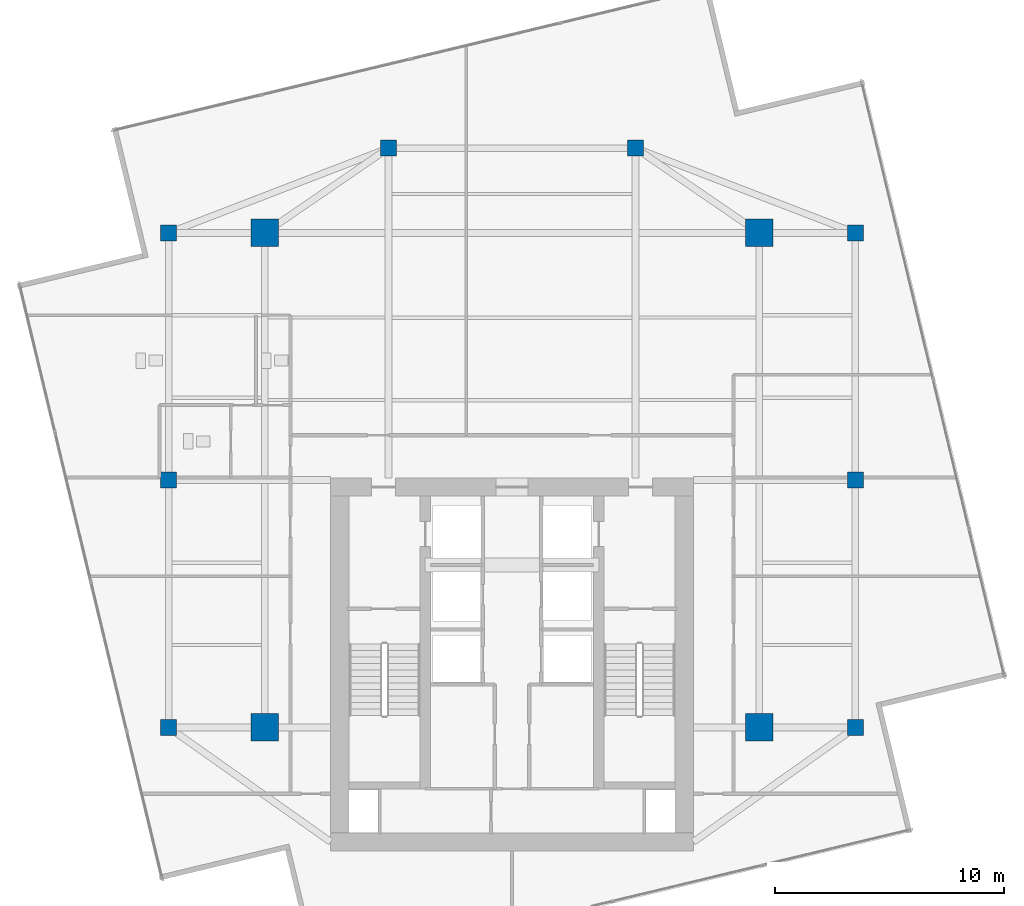
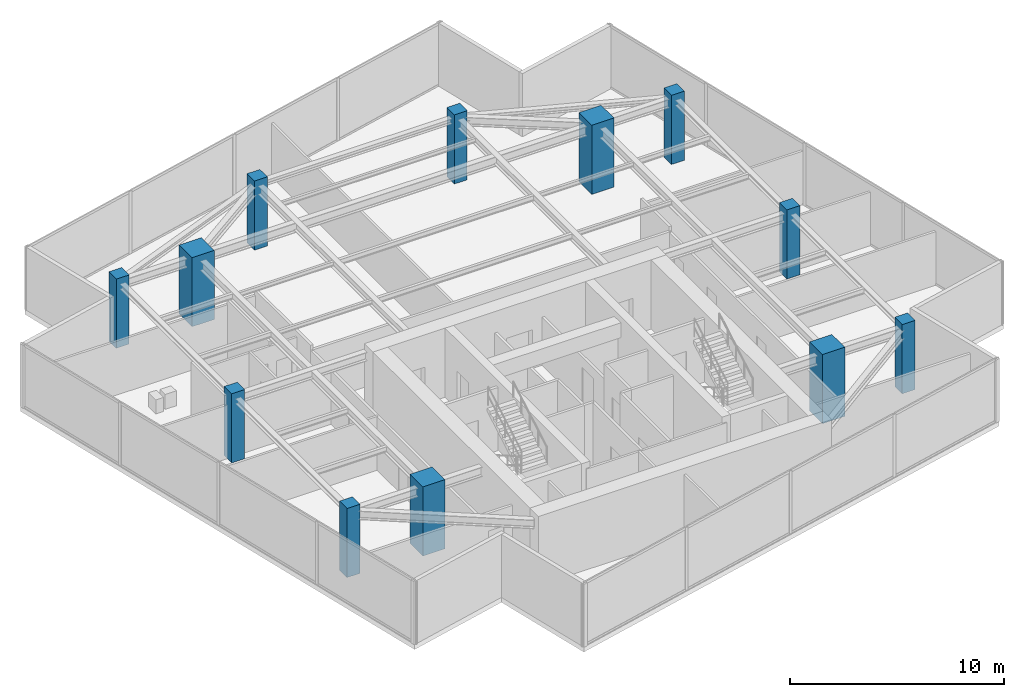
# One storey, part 1 of 22: 12 columns.
"""IFC4 building model written with IfcOpenShell, lengths in metres."""

import ifcopenshell
import ifcopenshell.guid

model = None  # the IFC model being written
_history = None  # IfcOwnerHistory: only IFC2X3 demands one
_inside = {}  # id of a spatial element -> (the spatial element, [elements in it])
_under = {}  # id of a project, library or spatial element -> (it, [spatial elements below it])
_declared = {}  # id of a project -> (the project, [libraries it declares])
_typed = {}  # id of a type object -> (the type object, [elements of that type])
_made_of = {}  # id of a material, layer set ... -> (it, [elements and type objects made of it])


def new_model(schema):
    """Start an empty IFC model of exactly this schema.

    Asked for "IFC4X3", IfcOpenShell would pick the latest addendum, in which some entities
    have other attributes; the version numbers below select the first issue.
    IFC2X3 requires an IfcOwnerHistory on every rooted entity: one is made here for all.
    """
    global model, _history
    if schema == "IFC4X3":
        model = ifcopenshell.file(schema_version=(4, 3, 0, 0))
    else:
        model = ifcopenshell.file(schema=schema)
    _inside.clear()
    _under.clear()
    _declared.clear()
    _typed.clear()
    _made_of.clear()
    _history = None
    if model.schema == "IFC2X3":
        org = make("IfcOrganization", Name="unknown")
        user = make(
            "IfcPersonAndOrganization",
            ThePerson=make("IfcPerson", FamilyName="unknown"),
            TheOrganization=org,
        )
        app = make(
            "IfcApplication",
            ApplicationDeveloper=org,
            Version="unknown",
            ApplicationFullName="unknown",
            ApplicationIdentifier="unknown",
        )
        _history = make(
            "IfcOwnerHistory",
            OwningUser=user,
            OwningApplication=app,
            ChangeAction="ADDED",
            CreationDate=0,
        )
    return model


def make(cls, **values):
    """One entity of the class cls with the attributes given. An attribute that is None is left unset."""
    return model.create_entity(
        cls, **{name: value for name, value in values.items() if value is not None}
    )


def rooted(cls, **values):
    """An entity with a GlobalId (a new one), such as an element, a storey or a relation."""
    return make(cls, GlobalId=ifcopenshell.guid.new(), OwnerHistory=_history, **values)


def si_unit(unit_type, name, prefix=None):
    """IfcSIUnit, for example si_unit("LENGTHUNIT", "METRE", prefix="MILLI")."""
    return make("IfcSIUnit", UnitType=unit_type, Prefix=prefix, Name=name)


def assignment(units):
    """IfcUnitAssignment: the units of a project."""
    return None if units is None else make("IfcUnitAssignment", Units=units)


def point(xyz):
    """IfcCartesianPoint."""
    return None if xyz is None else make("IfcCartesianPoint", Coordinates=xyz)


def direction(xyz):
    """IfcDirection."""
    return None if xyz is None else make("IfcDirection", DirectionRatios=xyz)


def frame(location, z_axis=None, x_axis=None):
    """IfcAxis2Placement3D, a coordinate frame: its origin and axes. An axis left out is left unset."""
    return make(
        "IfcAxis2Placement3D",
        Location=point(location),
        Axis=direction(z_axis),
        RefDirection=direction(x_axis),
    )


def frame_2d(location, x_axis=None):
    """IfcAxis2Placement2D, a coordinate frame in the plane: its origin and x axis."""
    return make(
        "IfcAxis2Placement2D", Location=point(location), RefDirection=direction(x_axis)
    )


def origin():
    """The frame at (0, 0, 0) with its axes left unset."""
    return frame((0.0, 0.0, 0.0))


def origin_2d():
    """The frame at (0, 0) in the plane with its x axis left unset."""
    return frame_2d((0.0, 0.0))


def place(relative_to, where):
    """IfcLocalPlacement: puts the frame where relative to a parent placement (None: the world)."""
    return make(
        "IfcLocalPlacement", PlacementRelTo=relative_to, RelativePlacement=where
    )


def context(
    kind, dimensions, precision=None, world=None, true_north=None, identifier=None
):
    """IfcGeometricRepresentationContext, for example the 3D "Model" context."""
    return make(
        "IfcGeometricRepresentationContext",
        ContextIdentifier=identifier,
        ContextType=kind,
        CoordinateSpaceDimension=dimensions,
        Precision=precision,
        WorldCoordinateSystem=world,
        TrueNorth=true_north,
    )


def subcontext(parent, identifier, kind, view, scale=None):
    """IfcGeometricRepresentationSubContext, for example "Body" below "Model"."""
    return make(
        "IfcGeometricRepresentationSubContext",
        ContextIdentifier=identifier,
        ContextType=kind,
        ParentContext=parent,
        TargetScale=scale,
        TargetView=view,
    )


def project(units=None, contexts=None):
    """IfcProject with its units and contexts."""
    return rooted(
        "IfcProject",
        Name="project",
        RepresentationContexts=contexts,
        UnitsInContext=assignment(units),
    )


def spatial(cls, under=None, at=None, **own):
    """A site, building, storey or space (cls), placed at a placement, below another one or the project."""
    s = rooted(cls, ObjectPlacement=at, **own)
    if under is not None:
        _under.setdefault(under.id(), (under, []))[1].append(s)
    return s


def profile(cls, at=None, kind="AREA", **sizes):
    """A parametric profile (cls). Its sizes go by their IFC names, for example OverallWidth=200.0."""
    return make(cls, ProfileType=kind, Position=at, **sizes)


def rectangle(**sizes):
    """IfcRectangleProfileDef."""
    return profile("IfcRectangleProfileDef", **sizes)


def extrude(swept, where, along, depth):
    """IfcExtrudedAreaSolid: the profile swept, set in the frame where, extruded along a direction by depth."""
    return make(
        "IfcExtrudedAreaSolid",
        SweptArea=swept,
        Position=where,
        ExtrudedDirection=direction(along),
        Depth=depth,
    )


def shape(context_of_items, identifier, shape_type, items):
    """IfcShapeRepresentation: the items that make up one representation, for example the "Body"."""
    return make(
        "IfcShapeRepresentation",
        ContextOfItems=context_of_items,
        RepresentationIdentifier=identifier,
        RepresentationType=shape_type,
        Items=items,
    )


def source(mapping_origin, context_of_items, identifier, shape_type, items):
    """IfcRepresentationMap: a shape defined once, which mapped items show again and again."""
    return make(
        "IfcRepresentationMap",
        MappingOrigin=mapping_origin,
        MappedRepresentation=shape(context_of_items, identifier, shape_type, items),
    )


def transform(
    local_origin,
    x_axis=None,
    y_axis=None,
    z_axis=None,
    scale=None,
    scale2=None,
    scale3=None,
    uniform=True,
):
    """IfcCartesianTransformationOperator3D, or its non-uniform kind. x_axis, y_axis, z_axis: its Axis1, 2, 3."""
    if uniform:
        return make(
            "IfcCartesianTransformationOperator3D",
            Axis1=direction(x_axis),
            Axis2=direction(y_axis),
            LocalOrigin=point(local_origin),
            Scale=scale,
            Axis3=direction(z_axis),
        )
    return make(
        "IfcCartesianTransformationOperator3DnonUniform",
        Axis1=direction(x_axis),
        Axis2=direction(y_axis),
        LocalOrigin=point(local_origin),
        Scale=scale,
        Axis3=direction(z_axis),
        Scale2=scale2,
        Scale3=scale3,
    )


def mapped(mapping_source, mapping_target):
    """IfcMappedItem: shows the shape of a source again, moved by a transform."""
    return make(
        "IfcMappedItem", MappingSource=mapping_source, MappingTarget=mapping_target
    )


def material(Name=None, Category=None):
    """IfcMaterial."""
    return make("IfcMaterial", Name=Name, Category=Category)


def material_profile(
    of_material, cross_section, Name=None, Category=None, Priority=None
):
    """IfcMaterialProfile: a cross section and its material."""
    return make(
        "IfcMaterialProfile",
        Name=Name,
        Material=of_material,
        Profile=cross_section,
        Priority=Priority,
        Category=Category,
    )


def profile_set(profiles, Name=None, composite=None):
    """IfcMaterialProfileSet."""
    return make(
        "IfcMaterialProfileSet",
        Name=Name,
        MaterialProfiles=profiles,
        CompositeProfile=composite,
    )


def made_of(thing, what):
    """Note that an element or type object is made of a material, layer set ...; save() writes the relation."""
    if what is not None:
        _made_of.setdefault(what.id(), (what, []))[1].append(thing)
    return thing


def type_object(cls, material=None, **own):
    """A type object (cls), such as IfcWallType, which elements share."""
    return made_of(rooted(cls, **own), material)


def type_shapes(of_type, sources):
    """Give a type object the sources (RepresentationMaps) that its elements show as mapped items."""
    of_type.RepresentationMaps = sources


def element(
    cls,
    number,
    at=None,
    inside=None,
    cuts=None,
    type_object=None,
    material=None,
    context=None,
    identifier="Body",
    shape_type=None,
    held_by="IfcProductDefinitionShape",
    body=None,
    shapes=None,
    **own,
):
    """One element of the class cls, such as IfcWall. Its Tag is "e" and its number.

    at: its placement. inside: the storey or other place that contains it. cuts: it is an
    opening in that element (IfcRelVoidsElement). A single representation is given by context,
    identifier, shape_type and body (its items); several are given by shapes. held_by: the class
    of the entity that holds the representations. save() writes the other relations.
    """
    e = rooted(cls, Tag="e%d" % number, ObjectPlacement=at, **own)
    if body is not None:
        shapes = [shape(context, identifier, shape_type, body)]
    if shapes is not None:
        e.Representation = make(held_by, Representations=shapes)
    if inside is not None:
        _inside.setdefault(inside.id(), (inside, []))[1].append(e)
    if cuts is not None:
        rooted(
            "IfcRelVoidsElement", RelatingBuildingElement=cuts, RelatedOpeningElement=e
        )
    if type_object is not None:
        _typed.setdefault(type_object.id(), (type_object, []))[1].append(e)
    return made_of(e, material)


def aggregate(whole, parts):
    """IfcRelAggregates: a whole, such as a stair, and the parts it consists of."""
    return rooted("IfcRelAggregates", RelatingObject=whole, RelatedObjects=parts)


def save(model, path):
    """Write the relations noted so far, then the file.

    IfcRelAggregates (storeys below a building ...), IfcRelContainedInSpatialStructure (elements
    in a storey), IfcRelDefinesByType, IfcRelAssociatesMaterial and IfcRelDeclares: one each for
    every whole, place, type object, material and project.
    """
    for whole, parts in _under.values():
        aggregate(whole, parts)
    for where, things in _inside.values():
        rooted(
            "IfcRelContainedInSpatialStructure",
            RelatedElements=things,
            RelatingStructure=where,
        )
    for kind, things in _typed.values():
        rooted("IfcRelDefinesByType", RelatedObjects=things, RelatingType=kind)
    for what, things in _made_of.values():
        rooted("IfcRelAssociatesMaterial", RelatedObjects=things, RelatingMaterial=what)
    for by, libraries in _declared.values():
        rooted("IfcRelDeclares", RelatingContext=by, RelatedDefinitions=libraries)
    model.write(path)


model = new_model("IFC4")

# Units and contexts
model_context = context("Model", 3, precision=1e-05, world=origin(), true_north=direction((0.0, 1.0)))
body_context = subcontext(model_context, "Body", "Model", "MODEL_VIEW")
ifc_project = project(units=[si_unit("LENGTHUNIT", "METRE"), si_unit("AREAUNIT", "SQUARE_METRE"), si_unit("VOLUMEUNIT", "CUBIC_METRE"), si_unit("PLANEANGLEUNIT", "RADIAN"), si_unit("MASSUNIT", "GRAM", prefix="KILO")], contexts=[model_context])

# Site, building, storey
site_placement = place(None, origin())
site = spatial("IfcSite", under=ifc_project, at=site_placement, CompositionType="ELEMENT")
building_placement = place(site_placement, origin())
building = spatial("IfcBuilding", under=site, at=building_placement, Name="Krantzveldt Concourse Tower", CompositionType="ELEMENT")
storey_placement = place(building_placement, frame((0.0, 0.0, 359.300048828125)))
storey = spatial("IfcBuildingStorey", under=building, at=storey_placement, Name="L88", CompositionType="ELEMENT", Elevation=359.300048828125)

# Columns
ifc_material = material(Name="Concrete C50/60", Category="concrete")
ifc_material_profile_1 = material_profile(ifc_material, rectangle(XDim=1.199951171875, YDim=1.199951171875, at=origin_2d()), Name="Concrete C50/60", Category="concrete")
ifc_profile_set_1 = profile_set([ifc_material_profile_1], Name="Concrete C50/60 - RC 1200x1200")
column_type_1 = type_object("IfcColumnType", Name="COL-MC-1200", PredefinedType="USERDEFINED", material=ifc_profile_set_1)
shared_shape_1 = source(origin(), body_context, "Body", "SweptSolid", [
    extrude(rectangle(XDim=1.199951171875, YDim=1.199951171875, at=origin_2d()), origin(), (0.0, 0.0, 1.0), 3.949951171875),
])
type_shapes(column_type_1, [shared_shape_1])
for number, where, z_axis, x_axis, name in (
    (1, (25.199951171875, 15.89990234375, 0.0), (0.0, 0.0, 1.0), (1.0, 0.0, 0.0), "MC-SW-L88"),
    (2, (46.800048828125, 15.89990234375, 0.0), (0.0, 0.0, 1.0), (1.0, 0.0, 0.0), "MC-SE-L88"),
    (3, (46.800048828125, 37.5, 0.0), (0.0, 0.0, 1.0), (1.0, 0.0, 0.0), "MC-NE-L88"),
    (4, (25.199951171875, 37.5, 0.0), (0.0, 0.0, 1.0), (1.0, 0.0, 0.0), "MC-NW-L88"),
):
    element("IfcColumn", number, at=place(storey_placement, frame(where, z_axis=z_axis, x_axis=x_axis)), inside=storey, type_object=column_type_1, Name=name, ObjectType="MEGA COLUMN", PredefinedType="USERDEFINED", context=body_context, shape_type="MappedRepresentation", body=[
        mapped(shared_shape_1, transform((0.0, 0.0, 0.0), x_axis=(1.0, 0.0, 0.0), y_axis=(0.0, 1.0, 0.0), z_axis=(0.0, 0.0, 1.0), scale=1.0)),
    ])
ifc_material_profile_2 = material_profile(ifc_material, rectangle(XDim=0.699951171875, YDim=0.699951171875, at=origin_2d()), Name="Concrete C50/60", Category="concrete")
ifc_profile_set_2 = profile_set([ifc_material_profile_2], Name="Concrete C50/60 - RC 700x700")
column_type_2 = type_object("IfcColumnType", Name="COL-C-Z6", PredefinedType="COLUMN", material=ifc_profile_set_2)
shared_shape_2 = source(origin(), body_context, "Body", "SweptSolid", [
    extrude(rectangle(XDim=0.699951171875, YDim=0.699951171875, at=origin_2d()), origin(), (0.0, 0.0, 1.0), 3.949951171875),
])
type_shapes(column_type_2, [shared_shape_2])
for number, where, z_axis, x_axis, name in (
    (5, (21.0, 15.89990234375, 0.0), (0.0, 0.0, 1.0), (1.0, 0.0, 0.0), "PC-R01-L88"),
    (6, (21.0, 26.699951171875, 0.0), (0.0, 0.0, 1.0), (1.0, 0.0, 0.0), "PC-R02-L88"),
    (7, (21.0, 37.5, 0.0), (0.0, 0.0, 1.0), (1.0, 0.0, 0.0), "PC-R03-L88"),
    (8, (30.60009765625, 41.199951171875, 0.0), (0.0, 0.0, 1.0), (1.0, 0.0, 0.0), "PC-R04-L88"),
    (9, (41.39990234375, 41.199951171875, 0.0), (0.0, 0.0, 1.0), (1.0, 0.0, 0.0), "PC-R05-L88"),
    (10, (51.0, 37.5, 0.0), (0.0, 0.0, 1.0), (1.0, 0.0, 0.0), "PC-R06-L88"),
    (11, (51.0, 26.699951171875, 0.0), (0.0, 0.0, 1.0), (1.0, 0.0, 0.0), "PC-R07-L88"),
    (12, (51.0, 15.89990234375, 0.0), (0.0, 0.0, 1.0), (1.0, 0.0, 0.0), "PC-R08-L88"),
):
    element("IfcColumn", number, at=place(storey_placement, frame(where, z_axis=z_axis, x_axis=x_axis)), inside=storey, type_object=column_type_2, Name=name, PredefinedType="COLUMN", context=body_context, shape_type="MappedRepresentation", body=[
        mapped(shared_shape_2, transform((0.0, 0.0, 0.0), x_axis=(1.0, 0.0, 0.0), y_axis=(0.0, 1.0, 0.0), z_axis=(0.0, 0.0, 1.0), scale=1.0)),
    ])

save(model, "model.ifc")
